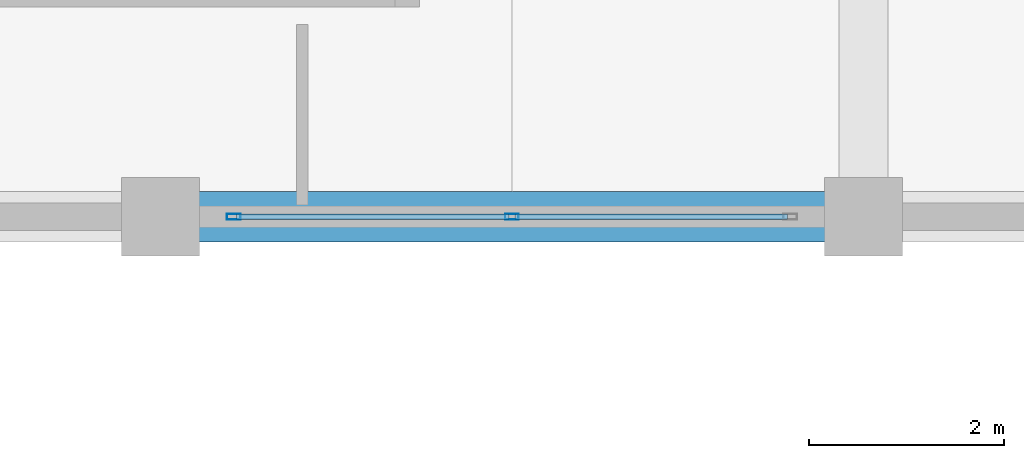
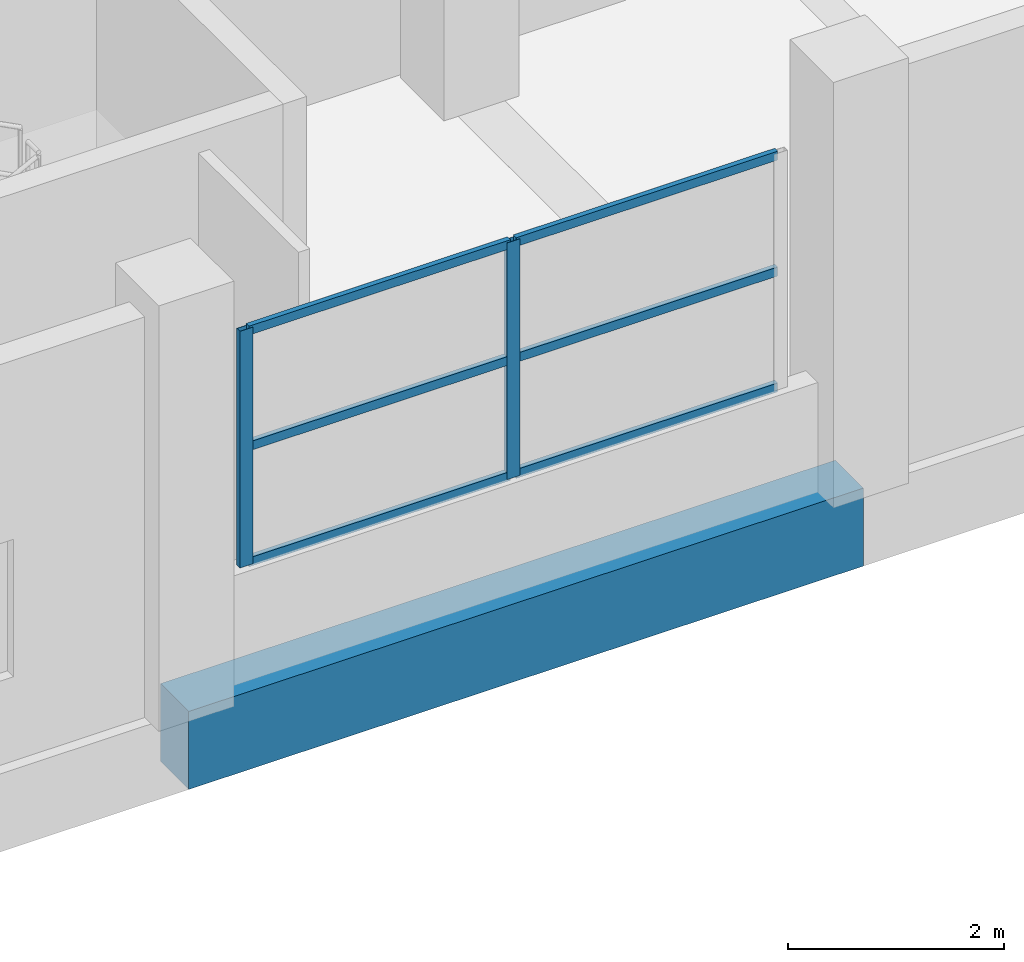
# One storey, part 66 of 140: 8 members, 1 beam, 1 element without a shape of its own.
"""IFC4 building model written with IfcOpenShell, lengths in metres."""

from ifc_helpers import new_model, si_unit, direction, frame, origin, origin_2d, place, context, subcontext, project, spatial, rectangle, hollow_rectangle, extrude, material, layer, layer_set, material_profile, profile_set, type_object, element, aggregate, save


model = new_model("IFC4")

# Units and contexts
model_context = context("Model", 3, precision=1e-05, world=origin(), true_north=direction((0.0, 1.0)))
body_context = subcontext(model_context, "Body", "Model", "MODEL_VIEW")
ifc_project = project(units=[si_unit("LENGTHUNIT", "METRE"), si_unit("AREAUNIT", "SQUARE_METRE"), si_unit("VOLUMEUNIT", "CUBIC_METRE"), si_unit("PLANEANGLEUNIT", "RADIAN"), si_unit("MASSUNIT", "GRAM", prefix="KILO")], contexts=[model_context])

# Site, building, storey
site_placement = place(None, origin())
site = spatial("IfcSite", under=ifc_project, at=site_placement, CompositionType="ELEMENT")
building_placement = place(site_placement, origin())
building = spatial("IfcBuilding", under=site, at=building_placement, Name="Seraya Terrace Polytechnic", CompositionType="ELEMENT")
storey_placement = place(building_placement, frame((0.0, 0.0, 9.60009765625)))
storey = spatial("IfcBuildingStorey", under=building, at=storey_placement, Name="L02", CompositionType="ELEMENT", Elevation=9.60009765625)

# Beam
ifc_material_1 = material(Name="Concrete C40/50", Category="concrete")
ifc_material_profile_1 = material_profile(ifc_material_1, rectangle(XDim=0.52001953125, YDim=0.8798828125, at=origin_2d()), Name="RC 520x880")
ifc_profile_set_1 = profile_set([ifc_material_profile_1], Name="Concrete C40/50")
beam_type = type_object("IfcBeamType", Name="BM-04", PredefinedType="BEAM", material=ifc_profile_set_1)
beam_placement = place(storey_placement, frame((57.60009765625, 64.800048828125, -0.440185546875), z_axis=(1.0, 0.0, 0.0), x_axis=(0.0, 1.0, 0.0)))
element("IfcBeam", 1, at=beam_placement, inside=storey, type_object=beam_type, Name="Beam BM-04 L02 X (57.6..64.8, 64.8)", PredefinedType="BEAM", context=body_context, shape_type="SweptSolid", body=[
    extrude(rectangle(XDim=0.52001953125, YDim=0.8798828125, at=origin_2d()), origin(), (0.0, 0.0, 1.0), 7.199951171875),
])

# Curtain wall, members
ifc_material_2 = material(Name="Anodised aluminium EN AW-6063 T6", Category="aluminium")
ifc_layer = layer(ifc_material_2, 0.179931640625, Name="CW-12")
ifc_layer_set = layer_set([ifc_layer], Name="Anodised aluminium EN AW-6063 T6")
curtain_wall_type = type_object("IfcCurtainWallType", Name="CW-12", PredefinedType="NOTDEFINED", material=ifc_layer_set)
curtain_wall_placement = place(storey_placement, origin())
curtain_wall = element("IfcCurtainWall", 2, at=curtain_wall_placement, inside=storey, type_object=curtain_wall_type, Name="Unitised curtain wall CW-12 (CW-L02-084)", PredefinedType="NOTDEFINED")
ifc_material_profile_2 = material_profile(ifc_material_2, hollow_rectangle(XDim=0.06005859375, YDim=0.139892578125, WallThickness=0.00341796875, at=origin_2d()), Name="RHS 140x60x3.5")
ifc_profile_set_2 = profile_set([ifc_material_profile_2], Name="Anodised aluminium EN AW-6063 T6")
member_type_1 = type_object("IfcMemberType", Name="CWM-03", PredefinedType="MULLION", material=ifc_profile_set_2)
member_1_placement = place(storey_placement, frame((61.199951171875, 64.800048828125, 1.239990234375), z_axis=(0.0, 0.0, 1.0), x_axis=(0.0, -1.0, 0.0)))
member_1 = element("IfcMember", 3, at=member_1_placement, type_object=member_type_1, Name="CW-12 mullion 2", PredefinedType="MULLION", context=body_context, shape_type="SweptSolid", body=[
    extrude(hollow_rectangle(XDim=0.06005859375, YDim=0.139892578125, WallThickness=0.00341796875, at=origin_2d()), origin(), (0.0, 0.0, 1.0), 2.669921875),
])
member_2_placement = place(storey_placement, frame((58.35009765625, 64.800048828125, 1.239990234375), z_axis=(0.0, 0.0, 1.0), x_axis=(0.0, -1.0, 0.0)))
member_2 = element("IfcMember", 4, at=member_2_placement, type_object=member_type_1, Name="CW-12 mullion 3", PredefinedType="MULLION", context=body_context, shape_type="SweptSolid", body=[
    extrude(hollow_rectangle(XDim=0.06005859375, YDim=0.139892578125, WallThickness=0.00341796875, at=origin_2d()), origin(), (0.0, 0.0, 1.0), 2.669921875),
])
ifc_material_profile_3 = material_profile(ifc_material_2, hollow_rectangle(XDim=0.054931640625, YDim=0.10009765625, WallThickness=0.0029296875, at=origin_2d()), Name="RHS 100x55x3.0")
ifc_profile_set_3 = profile_set([ifc_material_profile_3], Name="Anodised aluminium EN AW-6063 T6")
member_type_2 = type_object("IfcMemberType", Name="CWT-03", PredefinedType="USERDEFINED", material=ifc_profile_set_3)
member_3_placement = place(storey_placement, frame((64.02001953125, 64.800048828125, 1.267333984375), z_axis=(-1.0, 0.0, 0.0), x_axis=(0.0, -1.0, 0.0)))
member_3 = element("IfcMember", 5, at=member_3_placement, type_object=member_type_2, Name="CW-12 transom 1.1", ObjectType="TRANSOM", PredefinedType="USERDEFINED", context=body_context, shape_type="SweptSolid", body=[
    extrude(hollow_rectangle(XDim=0.054931640625, YDim=0.10009765625, WallThickness=0.0029296875, at=origin_2d()), origin(), (0.0, 0.0, 1.0), 2.7900390625),
])
member_4_placement = place(storey_placement, frame((64.02001953125, 64.800048828125, 2.574951171875), z_axis=(-1.0, 0.0, 0.0), x_axis=(0.0, -1.0, 0.0)))
member_4 = element("IfcMember", 6, at=member_4_placement, type_object=member_type_2, Name="CW-12 transom 1.2", ObjectType="TRANSOM", PredefinedType="USERDEFINED", context=body_context, shape_type="SweptSolid", body=[
    extrude(hollow_rectangle(XDim=0.054931640625, YDim=0.10009765625, WallThickness=0.0029296875, at=origin_2d()), origin(), (0.0, 0.0, 1.0), 2.7900390625),
])
member_5_placement = place(storey_placement, frame((64.02001953125, 64.800048828125, 3.88232421875), z_axis=(-1.0, 0.0, 0.0), x_axis=(0.0, -1.0, 0.0)))
member_5 = element("IfcMember", 7, at=member_5_placement, type_object=member_type_2, Name="CW-12 transom 1.3", ObjectType="TRANSOM", PredefinedType="USERDEFINED", context=body_context, shape_type="SweptSolid", body=[
    extrude(hollow_rectangle(XDim=0.054931640625, YDim=0.10009765625, WallThickness=0.0029296875, at=origin_2d()), origin(), (0.0, 0.0, 1.0), 2.7900390625),
])
member_6_placement = place(storey_placement, frame((61.169921875, 64.800048828125, 1.267333984375), z_axis=(-1.0, 0.0, 0.0), x_axis=(0.0, -1.0, 0.0)))
member_6 = element("IfcMember", 8, at=member_6_placement, type_object=member_type_2, Name="CW-12 transom 2.1", ObjectType="TRANSOM", PredefinedType="USERDEFINED", context=body_context, shape_type="SweptSolid", body=[
    extrude(hollow_rectangle(XDim=0.054931640625, YDim=0.10009765625, WallThickness=0.0029296875, at=origin_2d()), origin(), (0.0, 0.0, 1.0), 2.7900390625),
])
member_7_placement = place(storey_placement, frame((61.169921875, 64.800048828125, 2.574951171875), z_axis=(-1.0, 0.0, 0.0), x_axis=(0.0, -1.0, 0.0)))
member_7 = element("IfcMember", 9, at=member_7_placement, type_object=member_type_2, Name="CW-12 transom 2.2", ObjectType="TRANSOM", PredefinedType="USERDEFINED", context=body_context, shape_type="SweptSolid", body=[
    extrude(hollow_rectangle(XDim=0.054931640625, YDim=0.10009765625, WallThickness=0.0029296875, at=origin_2d()), origin(), (0.0, 0.0, 1.0), 2.7900390625),
])
member_8_placement = place(storey_placement, frame((61.169921875, 64.800048828125, 3.88232421875), z_axis=(-1.0, 0.0, 0.0), x_axis=(0.0, -1.0, 0.0)))
member_8 = element("IfcMember", 10, at=member_8_placement, type_object=member_type_2, Name="CW-12 transom 2.3", ObjectType="TRANSOM", PredefinedType="USERDEFINED", context=body_context, shape_type="SweptSolid", body=[
    extrude(hollow_rectangle(XDim=0.054931640625, YDim=0.10009765625, WallThickness=0.0029296875, at=origin_2d()), origin(), (0.0, 0.0, 1.0), 2.7900390625),
])
aggregate(curtain_wall, [member_1, member_2, member_3, member_4, member_5, member_6, member_7, member_8])

save(model, "model.ifc")
